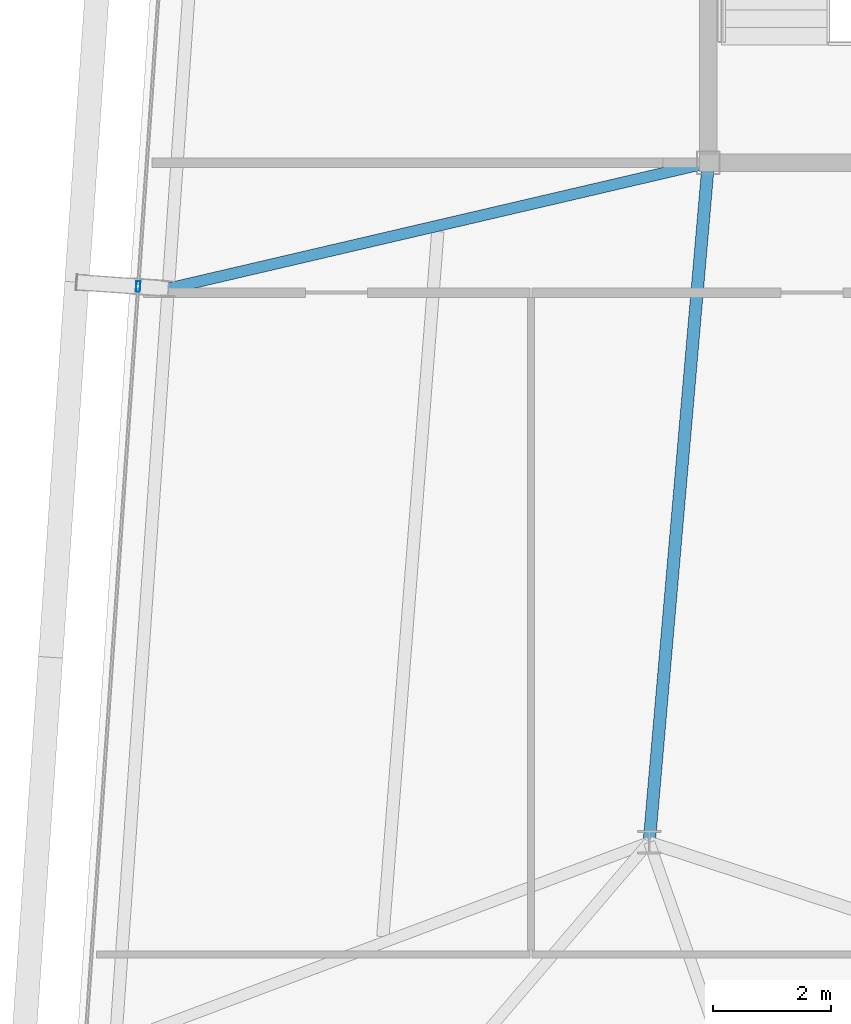
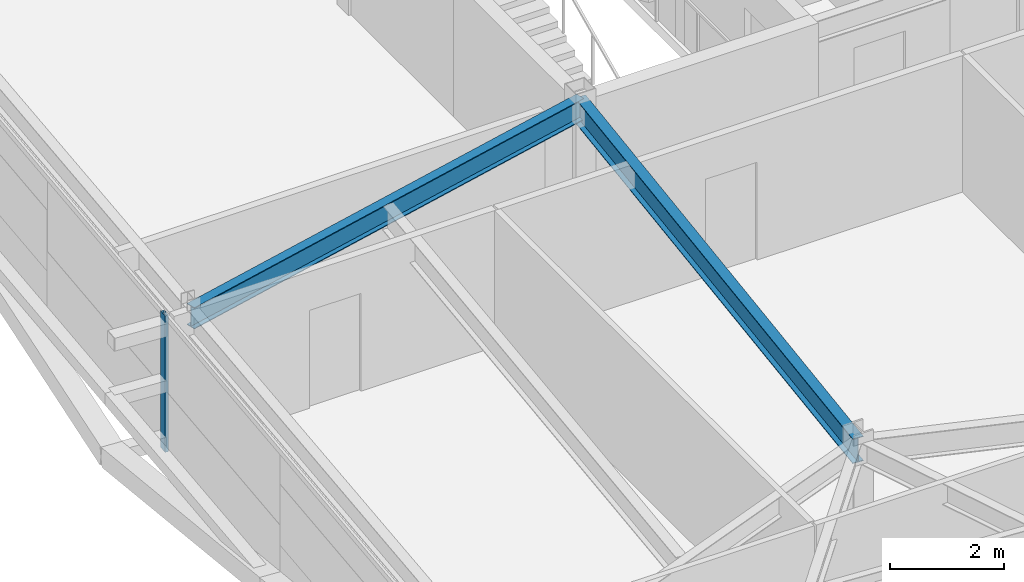
# One storey, part 11 of 39: 2 beams, 1 member, 1 element without a shape of its own.
"""IFC4 building model written with IfcOpenShell, lengths in metres."""

from ifc_helpers import new_model, si_unit, direction, frame, origin, origin_2d, place, context, subcontext, project, spatial, hollow_rectangle, i_section, extrude, source, transform, mapped, material, layer, layer_set, material_profile, profile_set, type_object, element, aggregate, save


model = new_model("IFC4")

# Units and contexts
model_context = context("Model", 3, precision=1e-05, world=origin(), true_north=direction((0.0, 1.0)))
body_context = subcontext(model_context, "Body", "Model", "MODEL_VIEW")
ifc_project = project(units=[si_unit("LENGTHUNIT", "METRE"), si_unit("AREAUNIT", "SQUARE_METRE"), si_unit("VOLUMEUNIT", "CUBIC_METRE"), si_unit("PLANEANGLEUNIT", "RADIAN"), si_unit("MASSUNIT", "GRAM", prefix="KILO")], contexts=[model_context])

# Site, building, storey
site_placement = place(None, origin())
site = spatial("IfcSite", under=ifc_project, at=site_placement, CompositionType="ELEMENT")
building_placement = place(site_placement, origin())
building = spatial("IfcBuilding", under=site, at=building_placement, Name="Taldren Reach Tower", CompositionType="ELEMENT")
storey_placement = place(building_placement, frame((0.0, 0.0, 129.85009765625)))
storey = spatial("IfcBuildingStorey", under=building, at=storey_placement, Name="L39", CompositionType="ELEMENT", Elevation=129.85009765625)

# Beams
ifc_material_1 = material(Name="Steel Gr 350 (350PLUS)", Category="steel")
ifc_material_profile_1 = material_profile(ifc_material_1, i_section(OverallWidth=0.208984375, OverallDepth=0.532958984375, WebThickness=0.01025390625, FlangeThickness=0.015625, at=origin_2d()), Name="530UB92.4")
ifc_profile_set_1 = profile_set([ifc_material_profile_1], Name="Steel Gr 350 (350PLUS)")
beam_type_1 = type_object("IfcBeamType", Name="BM-UB530A", PredefinedType="BEAM", material=ifc_profile_set_1)
shared_shape_1 = source(origin(), body_context, "Body", "SweptSolid", [
    extrude(i_section(OverallWidth=0.208984375, OverallDepth=0.532958984375, WebThickness=0.01025390625, FlangeThickness=0.015625, at=origin_2d()), origin(), (0.0, 0.0, 1.0), 11.54345703125),
])
beam_1_placement = place(storey_placement, frame((19.0, 24.0, 2.663330078125), z_axis=(-0.086629616365, -0.996240588196, 0.0), x_axis=(0.996240588196, -0.086629616365, 0.0)))
element("IfcBeam", 1, at=beam_1_placement, inside=storey, type_object=beam_type_1, Name="Core-spine girder L39-SP09", PredefinedType="BEAM", context=body_context, shape_type="MappedRepresentation", body=[
    mapped(shared_shape_1, transform((0.0, 0.0, 0.0), scale=1.0)),
])
ifc_material_profile_2 = material_profile(ifc_material_1, i_section(OverallWidth=0.19091796875, OverallDepth=0.4599609375, WebThickness=0.010009765625, FlangeThickness=0.01611328125, at=origin_2d()), Name="460UB82.1")
ifc_profile_set_2 = profile_set([ifc_material_profile_2], Name="Steel Gr 350 (350PLUS)")
beam_type_2 = type_object("IfcBeamType", Name="BM-UB460A", PredefinedType="BEAM", material=ifc_profile_set_2)
shared_shape_2 = source(origin(), body_context, "Body", "SweptSolid", [
    extrude(i_section(OverallWidth=0.19091796875, OverallDepth=0.4599609375, WebThickness=0.010009765625, FlangeThickness=0.01611328125, at=origin_2d()), origin(), (0.0, 0.0, 1.0), 9.383544921875),
])
beam_2_placement = place(storey_placement, frame((19.0, 24.0, 2.699951171875), z_axis=(-0.973856560651, -0.227163815951, 0.0), x_axis=(0.227163815951, -0.973856560651, 0.0)))
element("IfcBeam", 2, at=beam_2_placement, inside=storey, type_object=beam_type_2, Name="Primary floor girder B3-W2 L39", PredefinedType="BEAM", context=body_context, shape_type="MappedRepresentation", body=[
    mapped(shared_shape_2, transform((0.0, 0.0, 0.0), scale=1.0)),
])

# Curtain wall, member
ifc_material_2 = material(Name="Aluminium and Low-E Glass Unitised System", Category="aluminium")
ifc_layer = layer(ifc_material_2, 0.159912109375)
ifc_layer_set = layer_set([ifc_layer], Name="Aluminium and Low-E Glass Unitised System")
curtain_wall_type = type_object("IfcCurtainWallType", Name="CW-SYS-4", PredefinedType="NOTDEFINED", material=ifc_layer_set)
curtain_wall_placement = place(storey_placement, origin())
curtain_wall = element("IfcCurtainWall", 3, at=curtain_wall_placement, inside=storey, type_object=curtain_wall_type, Name="Unitised curtain wall CW-L39-W", PredefinedType="NOTDEFINED")
ifc_material_3 = material(Name="Anodised Aluminium 6063-T6", Category="aluminium")
ifc_material_profile_3 = material_profile(ifc_material_3, hollow_rectangle(XDim=0.070068359375, YDim=0.179931640625, WallThickness=0.00390625, at=origin_2d()), Name="ALU-180x70x4RHS")
ifc_profile_set_3 = profile_set([ifc_material_profile_3], Name="Anodised Aluminium 6063-T6")
member_type = type_object("IfcMemberType", Name="CW-MUL-180", PredefinedType="MULLION", material=ifc_profile_set_3)
shared_shape_3 = source(origin(), body_context, "Body", "SweptSolid", [
    extrude(hollow_rectangle(XDim=0.070068359375, YDim=0.179931640625, WallThickness=0.00390625, at=origin_2d()), origin(), (0.0, 0.0, 1.0), 2.929931640625),
])
member_placement = place(storey_placement, frame((9.35302734375, 21.90380859375, 0.0), z_axis=(0.0, 0.0, 1.0), x_axis=(0.997564052812, -0.069756437251, 0.0)))
member = element("IfcMember", 4, at=member_placement, type_object=member_type, Name="CW-4 mullion 2", PredefinedType="MULLION", context=body_context, shape_type="MappedRepresentation", body=[
    mapped(shared_shape_3, transform((0.0, 0.0, 0.0), scale=1.0)),
])
aggregate(curtain_wall, [member])

save(model, "model.ifc")
